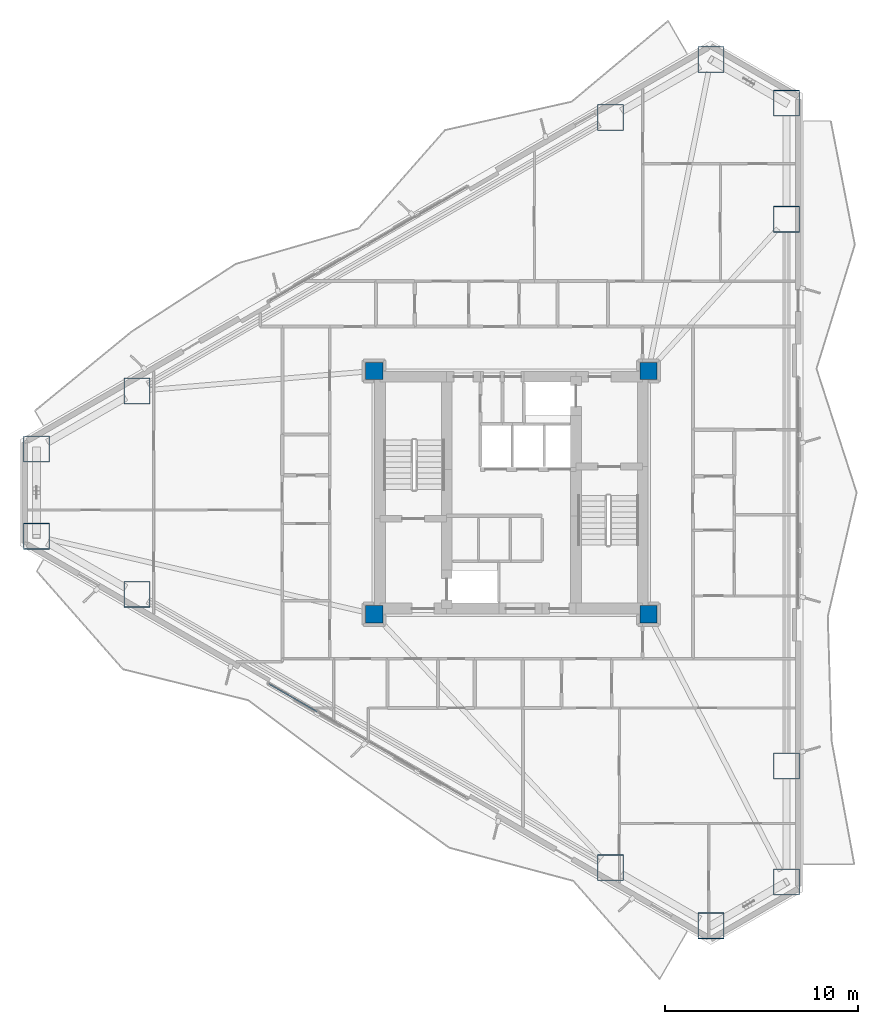
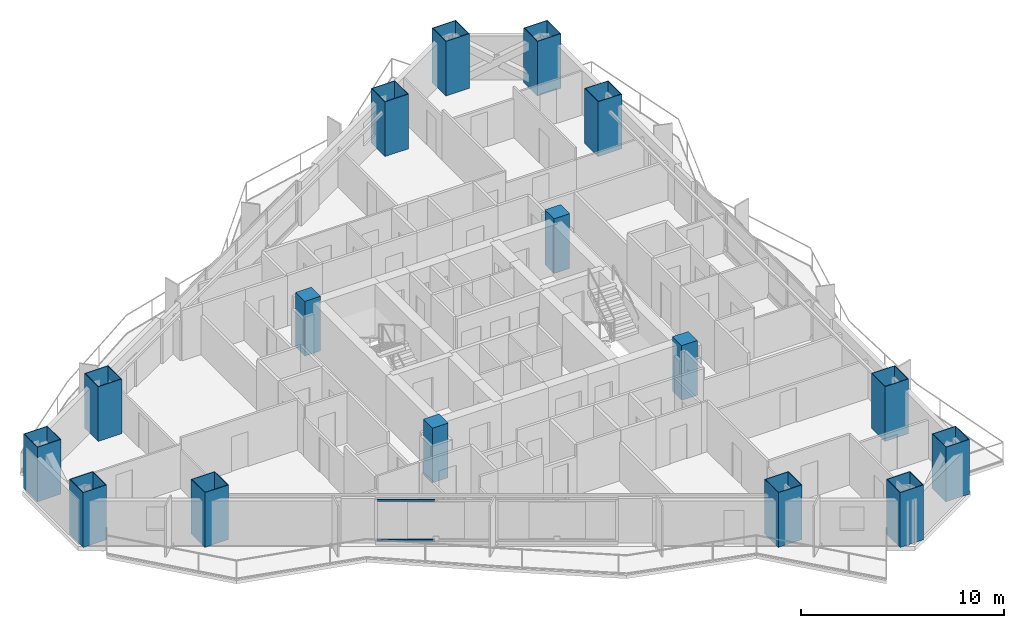
# One storey, part 1 of 19: 16 columns, 2 members, 1 element without a shape of its own.
"""IFC4 building model written with IfcOpenShell, lengths in metres."""

from ifc_helpers import new_model, si_unit, direction, frame, origin, origin_2d, place, context, subcontext, project, spatial, rectangle, hollow_rectangle, extrude, material, layer, layer_set, material_profile, profile_set, type_object, element, aggregate, save


model = new_model("IFC4")

# Units and contexts
model_context = context("Model", 3, precision=1e-05, world=origin(), true_north=direction((0.0, 1.0)))
body_context = subcontext(model_context, "Body", "Model", "MODEL_VIEW")
ifc_project = project(units=[si_unit("LENGTHUNIT", "METRE"), si_unit("AREAUNIT", "SQUARE_METRE"), si_unit("VOLUMEUNIT", "CUBIC_METRE"), si_unit("PLANEANGLEUNIT", "RADIAN"), si_unit("MASSUNIT", "GRAM", prefix="KILO")], contexts=[model_context])

# Site, building, storey
site_placement = place(None, origin())
site = spatial("IfcSite", under=ifc_project, at=site_placement, CompositionType="ELEMENT")
building_placement = place(site_placement, origin())
building = spatial("IfcBuilding", under=site, at=building_placement, Name="Mersakhor Tower and Convention Hall", CompositionType="ELEMENT")
storey_placement = place(building_placement, frame((0.0, 0.0, 22.5)))
storey = spatial("IfcBuildingStorey", under=building, at=storey_placement, Name="L05", CompositionType="ELEMENT", Elevation=22.5)

# Columns
ifc_material_1 = material(Name="Concrete C70/85 in S460M steel box", Category="concrete")
ifc_material_profile_1 = material_profile(ifc_material_1, hollow_rectangle(XDim=1.35009765625, YDim=1.35009765625, WallThickness=0.035888671875, at=origin_2d()), Name="SHS 1350x1350x36")
ifc_profile_set_1 = profile_set([ifc_material_profile_1], Name="Concrete C70/85 in S460M steel box")
column_type_1 = type_object("IfcColumnType", Name="COL-CFT-1350", PredefinedType="COLUMN", material=ifc_profile_set_1)
for number, where, z_axis, x_axis, name in (
    (1, (4.4130859375, 29.00927734375, 0.0), (0.0, 0.0, 1.0), (1.0, 0.0, 0.0), "L05 Perimeter Mega-Column MC-01"),
    (2, (9.61669921875, 32.013671875, 0.0), (0.0, 0.0, 1.0), (1.0, 0.0, 0.0), "L05 Perimeter Mega-Column MC-02"),
    (3, (34.13330078125, 46.168212890625, 0.0), (0.0, 0.0, 1.0), (1.0, 0.0, 0.0), "L05 Perimeter Mega-Column MC-03"),
    (4, (39.3369140625, 49.172607421875, 0.0), (0.0, 0.0, 1.0), (1.0, 0.0, 0.0), "L05 Perimeter Mega-Column MC-04"),
    (5, (43.25, 46.913330078125, 0.0), (0.0, 0.0, 1.0), (1.0, 0.0, 0.0), "L05 Perimeter Mega-Column MC-05"),
    (6, (43.25, 40.904541015625, 0.0), (0.0, 0.0, 1.0), (1.0, 0.0, 0.0), "L05 Perimeter Mega-Column MC-06"),
    (7, (43.25, 12.595458984375, 0.0), (0.0, 0.0, 1.0), (1.0, 0.0, 0.0), "L05 Perimeter Mega-Column MC-07"),
    (8, (43.25, 6.586669921875, 0.0), (0.0, 0.0, 1.0), (1.0, 0.0, 0.0), "L05 Perimeter Mega-Column MC-08"),
    (9, (39.3369140625, 4.327392578125, 0.0), (0.0, 0.0, 1.0), (1.0, 0.0, 0.0), "L05 Perimeter Mega-Column MC-09"),
    (10, (34.13330078125, 7.331787109375, 0.0), (0.0, 0.0, 1.0), (1.0, 0.0, 0.0), "L05 Perimeter Mega-Column MC-10"),
    (11, (9.61669921875, 21.486328125, 0.0), (0.0, 0.0, 1.0), (1.0, 0.0, 0.0), "L05 Perimeter Mega-Column MC-11"),
    (12, (4.4130859375, 24.49072265625, 0.0), (0.0, 0.0, 1.0), (1.0, 0.0, 0.0), "L05 Perimeter Mega-Column MC-12"),
):
    element("IfcColumn", number, at=place(storey_placement, frame(where, z_axis=z_axis, x_axis=x_axis)), inside=storey, type_object=column_type_1, Name=name, PredefinedType="COLUMN", context=body_context, shape_type="SweptSolid", body=[
        extrude(hollow_rectangle(XDim=1.35009765625, YDim=1.35009765625, WallThickness=0.035888671875, at=origin_2d()), origin(), (0.0, 0.0, 1.0), 3.300048828125),
    ])
ifc_material_2 = material(Name="Concrete C60/75", Category="concrete")
ifc_material_profile_2 = material_profile(ifc_material_2, rectangle(XDim=0.89990234375, YDim=0.89990234375, at=origin_2d()), Name="RC 900x900")
ifc_profile_set_2 = profile_set([ifc_material_profile_2], Name="Concrete C60/75")
column_type_2 = type_object("IfcColumnType", Name="COL-RC-900", PredefinedType="COLUMN", material=ifc_profile_set_2)
for number, where, z_axis, x_axis, name in (
    (13, (21.89990234375, 20.449951171875, 0.0), (0.0, 0.0, 1.0), (1.0, 0.0, 0.0), "L05 Core Corner Column CC-1"),
    (14, (21.89990234375, 33.050048828125, 0.0), (0.0, 0.0, 1.0), (1.0, 0.0, 0.0), "L05 Core Corner Column CC-2"),
    (15, (36.10009765625, 33.050048828125, 0.0), (0.0, 0.0, 1.0), (1.0, 0.0, 0.0), "L05 Core Corner Column CC-3"),
    (16, (36.10009765625, 20.449951171875, 0.0), (0.0, 0.0, 1.0), (1.0, 0.0, 0.0), "L05 Core Corner Column CC-4"),
):
    element("IfcColumn", number, at=place(storey_placement, frame(where, z_axis=z_axis, x_axis=x_axis)), inside=storey, type_object=column_type_2, Name=name, PredefinedType="COLUMN", context=body_context, shape_type="SweptSolid", body=[
        extrude(rectangle(XDim=0.89990234375, YDim=0.89990234375, at=origin_2d()), origin(), (0.0, 0.0, 1.0), 3.300048828125),
    ])

# Curtain wall, members
ifc_material_3 = material(Name="Dark solar low-E aluminium curtain wall", Category="aluminium")
ifc_layer = layer(ifc_material_3, 0.159912109375)
ifc_layer_set = layer_set([ifc_layer], Name="Dark solar low-E aluminium curtain wall")
curtain_wall_type = type_object("IfcCurtainWallType", Name="CW-SYS-01", PredefinedType="USERDEFINED", material=ifc_layer_set)
curtain_wall_placement = place(storey_placement, origin())
curtain_wall = element("IfcCurtainWall", 17, at=curtain_wall_placement, inside=storey, type_object=curtain_wall_type, Name="L05 Dark-Glass Curtain Wall F3-B2", ObjectType="CURTAIN WALL", PredefinedType="USERDEFINED")
ifc_material_4 = material(Name="Anodised aluminium EN AW-6063 T6", Category="aluminium")
ifc_material_profile_3 = material_profile(ifc_material_4, hollow_rectangle(XDim=0.06005859375, YDim=0.1201171875, WallThickness=0.0048828125, at=origin_2d()), Name="RHS 120x60x5")
ifc_profile_set_3 = profile_set([ifc_material_profile_3], Name="Anodised aluminium EN AW-6063 T6")
member_type = type_object("IfcMemberType", Name="CWT-120x60", PredefinedType="USERDEFINED", material=ifc_profile_set_3)
member_1_placement = place(storey_placement, frame((18.9501953125, 15.40478515625, 0.22998046875), z_axis=(-0.866002100865, 0.500040359669, 0.0), x_axis=(-0.500040359669, -0.866002100865, 0.0)))
member_1 = element("IfcMember", 18, at=member_1_placement, type_object=member_type, Name="CW-01 transom 4.1", ObjectType="TRANSOM", PredefinedType="USERDEFINED", context=body_context, shape_type="SweptSolid", body=[
    extrude(hollow_rectangle(XDim=0.06005859375, YDim=0.1201171875, WallThickness=0.0048828125, at=origin_2d()), origin(), (0.0, 0.0, 1.0), 2.880615234375),
])
member_2_placement = place(storey_placement, frame((18.9501953125, 15.40478515625, 2.6298828125), z_axis=(-0.866002100865, 0.500040359669, 0.0), x_axis=(-0.500040359669, -0.866002100865, 0.0)))
member_2 = element("IfcMember", 19, at=member_2_placement, type_object=member_type, Name="CW-01 transom 4.2", ObjectType="TRANSOM", PredefinedType="USERDEFINED", context=body_context, shape_type="SweptSolid", body=[
    extrude(hollow_rectangle(XDim=0.06005859375, YDim=0.1201171875, WallThickness=0.0048828125, at=origin_2d()), origin(), (0.0, 0.0, 1.0), 2.880615234375),
])
aggregate(curtain_wall, [member_1, member_2])

save(model, "model.ifc")
